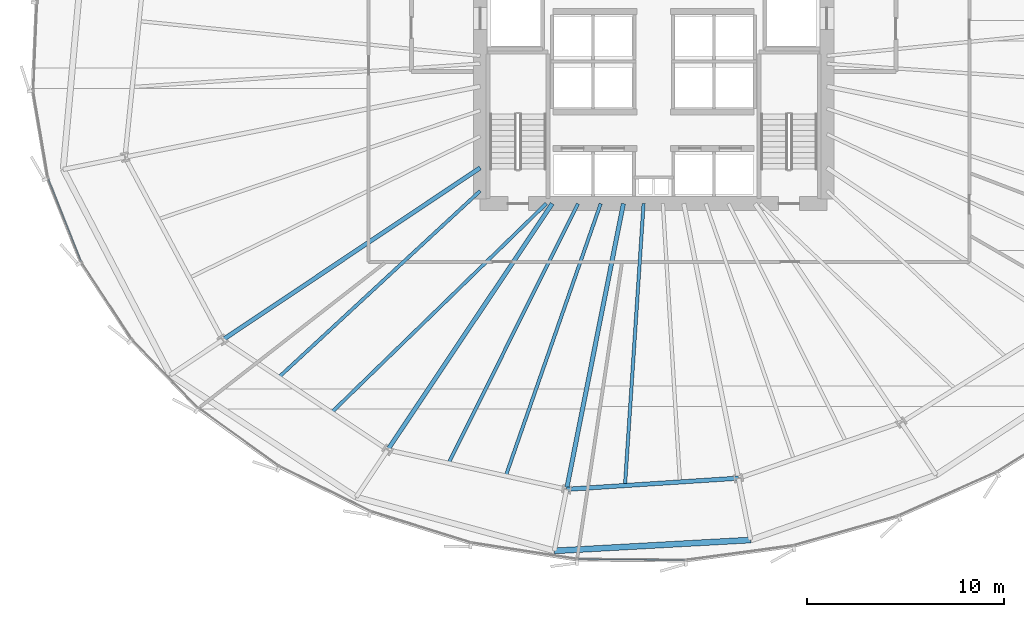
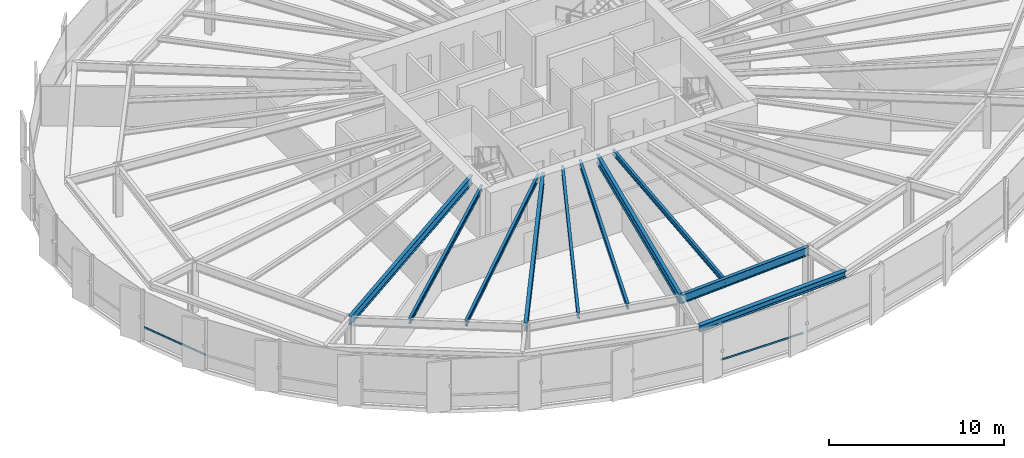
# One storey, part 6 of 39: 10 beams, 2 members, 2 elements without a shape of their own.
"""IFC4 building model written with IfcOpenShell, lengths in metres."""

from ifc_helpers import new_model, si_unit, direction, frame, origin, origin_2d, place, context, subcontext, project, spatial, hollow_rectangle, i_section, extrude, source, transform, mapped, material, layer, layer_set, material_profile, profile_set, type_object, element, aggregate, save


model = new_model("IFC4")

# Units and contexts
model_context = context("Model", 3, precision=1e-05, world=origin(), true_north=direction((0.0, 1.0)))
body_context = subcontext(model_context, "Body", "Model", "MODEL_VIEW")
ifc_project = project(units=[si_unit("LENGTHUNIT", "METRE"), si_unit("AREAUNIT", "SQUARE_METRE"), si_unit("VOLUMEUNIT", "CUBIC_METRE"), si_unit("PLANEANGLEUNIT", "RADIAN"), si_unit("MASSUNIT", "GRAM", prefix="KILO"), si_unit("THERMODYNAMICTEMPERATUREUNIT", "KELVIN")], contexts=[model_context])

# Site, building, storey
site_placement = place(None, origin())
site = spatial("IfcSite", under=ifc_project, at=site_placement, CompositionType="ELEMENT")
building_placement = place(site_placement, origin())
building = spatial("IfcBuilding", under=site, at=building_placement, Name="Kethvar Cultural Tower", CompositionType="ELEMENT")
storey_placement = place(building_placement, frame((0.0, 0.0, 44.800048828125)))
storey = spatial("IfcBuildingStorey", under=building, at=storey_placement, Name="L10", CompositionType="ELEMENT", Elevation=44.800048828125)

# Beams
ifc_material_1 = material(Name="Steel S355J2", Category="steel")
ifc_material_profile_1 = material_profile(ifc_material_1, i_section(OverallWidth=0.219970703125, OverallDepth=0.60009765625, WebThickness=0.011962890625, FlangeThickness=0.01904296875, FilletRadius=0.02392578125, at=origin_2d()), Name="Steel S355J2 — IPE600")
ifc_profile_set_1 = profile_set([ifc_material_profile_1], Name="Steel S355J2 — IPE600")
beam_type_1 = type_object("IfcBeamType", Name="BM-IPE600", PredefinedType="BEAM", material=ifc_profile_set_1)
shared_shape_1 = source(origin(), body_context, "Body", "SweptSolid", [
    extrude(i_section(OverallWidth=0.219970703125, OverallDepth=0.60009765625, WebThickness=0.011962890625, FlangeThickness=0.01904296875, FilletRadius=0.02392578125, at=origin_2d()), origin(), (0.0, 0.0, 1.0), 15.725341796875),
])
beam_1_placement = place(storey_placement, frame((38.0, 21.919921875, 3.248046875), z_axis=(-0.831469433959, -0.555570499929, 0.0), x_axis=(0.555570499929, -0.831469433959, 0.0)))
element("IfcBeam", 1, at=beam_1_placement, inside=storey, type_object=beam_type_1, Name="L10 Primary Radial Beam RB-10", PredefinedType="BEAM", context=body_context, shape_type="MappedRepresentation", body=[
    mapped(shared_shape_1, transform((0.0, 0.0, 0.0), scale=1.0)),
])
shared_shape_2 = source(origin(), body_context, "Body", "SweptSolid", [
    extrude(i_section(OverallWidth=0.219970703125, OverallDepth=0.60009765625, WebThickness=0.011962890625, FlangeThickness=0.01904296875, FilletRadius=0.02392578125, at=origin_2d()), origin(), (0.0, 0.0, 1.0), 15.03515625),
])
beam_2_placement = place(storey_placement, frame((41.655029296875, 20.10009765625, 3.248046875), z_axis=(-0.555569254616, -0.83147026605, 0.0), x_axis=(0.83147026605, -0.555569254616, 0.0)))
element("IfcBeam", 2, at=beam_2_placement, inside=storey, type_object=beam_type_1, Name="L10 Primary Radial Beam RB-11", PredefinedType="BEAM", context=body_context, shape_type="MappedRepresentation", body=[
    mapped(shared_shape_2, transform((0.0, 0.0, 0.0), scale=1.0)),
])
shared_shape_3 = source(origin(), body_context, "Body", "SweptSolid", [
    extrude(i_section(OverallWidth=0.219970703125, OverallDepth=0.60009765625, WebThickness=0.011962890625, FlangeThickness=0.01904296875, FilletRadius=0.02392578125, at=origin_2d()), origin(), (0.0, 0.0, 1.0), 14.7880859375),
])
beam_3_placement = place(storey_placement, frame((45.268310546875, 20.10009765625, 3.248046875), z_axis=(-0.1950905456, -0.98078523593, 0.0), x_axis=(0.98078523593, -0.1950905456, 0.0)))
element("IfcBeam", 3, at=beam_3_placement, inside=storey, type_object=beam_type_1, Name="L10 Primary Radial Beam RB-12", PredefinedType="BEAM", context=body_context, shape_type="MappedRepresentation", body=[
    mapped(shared_shape_3, transform((0.0, 0.0, 0.0), scale=1.0)),
])
ifc_material_profile_2 = material_profile(ifc_material_1, i_section(OverallWidth=0.169921875, OverallDepth=0.360107421875, WebThickness=0.008056640625, FlangeThickness=0.0126953125, FilletRadius=0.01806640625, at=origin_2d()), Name="Steel S355J2 — IPE360")
ifc_profile_set_2 = profile_set([ifc_material_profile_2], Name="Steel S355J2 — IPE360")
beam_type_2 = type_object("IfcBeamType", Name="BM-J360", PredefinedType="JOIST", material=ifc_profile_set_2)
shared_shape_4 = source(origin(), body_context, "Body", "SweptSolid", [
    extrude(i_section(OverallWidth=0.169921875, OverallDepth=0.360107421875, WebThickness=0.008056640625, FlangeThickness=0.0126953125, FilletRadius=0.01806640625, at=origin_2d()), origin(), (0.0, 0.0, 1.0), 13.93505859375),
])
beam_4_placement = place(storey_placement, frame((38.0, 20.75, 3.367919921875), z_axis=(-0.733909459287, -0.679247308106, 0.0), x_axis=(0.679247308106, -0.733909459287, 0.0)))
element("IfcBeam", 4, at=beam_4_placement, inside=storey, type_object=beam_type_2, Name="L10 Composite Floor Joist J-10A", PredefinedType="JOIST", context=body_context, shape_type="MappedRepresentation", body=[
    mapped(shared_shape_4, transform((0.0, 0.0, 0.0), scale=1.0)),
])
shared_shape_5 = source(origin(), body_context, "Body", "SweptSolid", [
    extrude(i_section(OverallWidth=0.169921875, OverallDepth=0.360107421875, WebThickness=0.008056640625, FlangeThickness=0.0126953125, FilletRadius=0.01806640625, at=origin_2d()), origin(), (0.0, 0.0, 1.0), 15.20361328125),
])
beam_5_placement = place(storey_placement, frame((41.35009765625, 20.10009765625, 3.367919921875), z_axis=(-0.716707709325, -0.697373687053, 0.0), x_axis=(0.697373687053, -0.716707709325, 0.0)))
element("IfcBeam", 5, at=beam_5_placement, inside=storey, type_object=beam_type_2, Name="L10 Composite Floor Joist J-10B", PredefinedType="JOIST", context=body_context, shape_type="MappedRepresentation", body=[
    mapped(shared_shape_5, transform((0.0, 0.0, 0.0), scale=1.0)),
])
shared_shape_6 = source(origin(), body_context, "Body", "SweptSolid", [
    extrude(i_section(OverallWidth=0.169921875, OverallDepth=0.360107421875, WebThickness=0.008056640625, FlangeThickness=0.0126953125, FilletRadius=0.01806640625, at=origin_2d()), origin(), (0.0, 0.0, 1.0), 14.729248046875),
])
beam_6_placement = place(storey_placement, frame((42.961181640625, 20.10009765625, 3.367919921875), z_axis=(-0.446152473361, -0.894956965733, 0.0), x_axis=(0.894956965733, -0.446152473361, 0.0)))
element("IfcBeam", 6, at=beam_6_placement, inside=storey, type_object=beam_type_2, Name="L10 Composite Floor Joist J-11A", PredefinedType="JOIST", context=body_context, shape_type="MappedRepresentation", body=[
    mapped(shared_shape_6, transform((0.0, 0.0, 0.0), scale=1.0)),
])
shared_shape_7 = source(origin(), body_context, "Body", "SweptSolid", [
    extrude(i_section(OverallWidth=0.169921875, OverallDepth=0.360107421875, WebThickness=0.008056640625, FlangeThickness=0.0126953125, FilletRadius=0.01806640625, at=origin_2d()), origin(), (0.0, 0.0, 1.0), 14.63916015625),
])
beam_7_placement = place(storey_placement, frame((44.115234375, 20.10009765625, 3.367919921875), z_axis=(-0.329226238223, -0.94425107046, 0.0), x_axis=(0.94425107046, -0.329226238223, 0.0)))
element("IfcBeam", 7, at=beam_7_placement, inside=storey, type_object=beam_type_2, Name="L10 Composite Floor Joist J-11B", PredefinedType="JOIST", context=body_context, shape_type="MappedRepresentation", body=[
    mapped(shared_shape_7, transform((0.0, 0.0, 0.0), scale=1.0)),
])
shared_shape_8 = source(origin(), body_context, "Body", "SweptSolid", [
    extrude(i_section(OverallWidth=0.219970703125, OverallDepth=0.60009765625, WebThickness=0.011962890625, FlangeThickness=0.01904296875, FilletRadius=0.02392578125, at=origin_2d()), origin(), (0.0, 0.0, 1.0), 8.739013671875),
])
beam_8_placement = place(storey_placement, frame((42.38330078125, 5.59619140625, 3.248046875), z_axis=(0.997897424084, 0.064813046581, 0.0), x_axis=(-0.064813046581, 0.997897424084, 0.0)))
element("IfcBeam", 8, at=beam_8_placement, inside=storey, type_object=beam_type_1, Name="L10 Column Ring Tie Beam CR-12", PredefinedType="BEAM", context=body_context, shape_type="MappedRepresentation", body=[
    mapped(shared_shape_8, transform((0.0, 0.0, 0.0), scale=1.0)),
])
shared_shape_9 = source(origin(), body_context, "Body", "SweptSolid", [
    extrude(i_section(OverallWidth=0.169921875, OverallDepth=0.360107421875, WebThickness=0.008056640625, FlangeThickness=0.0126953125, FilletRadius=0.01806640625, at=origin_2d()), origin(), (0.0, 0.0, 1.0), 14.34228515625),
])
beam_9_placement = place(storey_placement, frame((46.292236328125, 20.10009765625, 3.367919921875), z_axis=(-0.065808348808, -0.997832281111, 0.0), x_axis=(0.997832281111, -0.065808348808, 0.0)))
element("IfcBeam", 9, at=beam_9_placement, inside=storey, type_object=beam_type_2, Name="L10 Composite Floor Joist J-12A", PredefinedType="JOIST", context=body_context, shape_type="MappedRepresentation", body=[
    mapped(shared_shape_9, transform((0.0, 0.0, 0.0), scale=1.0)),
])
ifc_material_profile_3 = material_profile(ifc_material_1, i_section(OverallWidth=0.300048828125, OverallDepth=0.449951171875, WebThickness=0.013916015625, FlangeThickness=0.02587890625, FilletRadius=0.027099609375, at=origin_2d()), Name="Steel S355J2 — HEB450")
ifc_profile_set_3 = profile_set([ifc_material_profile_3], Name="Steel S355J2 — HEB450")
beam_type_3 = type_object("IfcBeamType", Name="BM-SP450", PredefinedType="SPANDREL", material=ifc_profile_set_3)
shared_shape_10 = source(origin(), body_context, "Body", "SweptSolid", [
    extrude(i_section(OverallWidth=0.300048828125, OverallDepth=0.449951171875, WebThickness=0.013916015625, FlangeThickness=0.02587890625, FilletRadius=0.027099609375, at=origin_2d()), origin(), (0.0, 0.0, 1.0), 9.981689453125),
])
beam_10_placement = place(storey_placement, frame((41.761962890625, 2.471923828125, 3.322998046875), z_axis=(0.998468320301, 0.05532642547, 0.0), x_axis=(-0.05532642547, 0.998468320301, 0.0)))
element("IfcBeam", 10, at=beam_10_placement, inside=storey, type_object=beam_type_3, Name="L10 Perimeter Spandrel Beam SP-12", PredefinedType="SPANDREL", context=body_context, shape_type="MappedRepresentation", body=[
    mapped(shared_shape_10, transform((0.0, 0.0, 0.0), scale=1.0)),
])

# Curtain wall, member
ifc_material_2 = material(Name="Aluminium 6063-T6", Category="aluminium")
ifc_layer = layer(ifc_material_2, 0.179931640625, Name="Aluminium 6063-T6", Category="aluminium")
ifc_layer_set = layer_set([ifc_layer], Name="Aluminium 6063-T6 (180 mm)")
curtain_wall_type = type_object("IfcCurtainWallType", Name="CW-SYS-02-Z1", PredefinedType="NOTDEFINED", material=ifc_layer_set)
curtain_wall_1_placement = place(storey_placement, origin())
curtain_wall_1 = element("IfcCurtainWall", 11, at=curtain_wall_1_placement, inside=storey, type_object=curtain_wall_type, Name="L10 Curtain Wall Run 04", PredefinedType="NOTDEFINED")
ifc_material_profile_4 = material_profile(ifc_material_2, hollow_rectangle(XDim=0.054931640625, YDim=0.1201171875, WallThickness=0.00390625, at=origin_2d()), Name="Aluminium 6063-T6 — RHS120x55x4")
ifc_profile_set_4 = profile_set([ifc_material_profile_4], Name="Aluminium 6063-T6 — RHS120x55x4")
member_type = type_object("IfcMemberType", Name="CW-SYS-02-Z1-TRN", PredefinedType="USERDEFINED", material=ifc_profile_set_4)
shared_shape_11 = source(origin(), body_context, "Body", "SweptSolid", [
    extrude(hollow_rectangle(XDim=0.054931640625, YDim=0.1201171875, WallThickness=0.00390625, at=origin_2d()), origin(), (0.0, 0.0, 1.0), 4.505859375),
])
member_1_placement = place(storey_placement, frame((16.081298828125, 21.342529296875, 0.949951171875), z_axis=(0.369745915252, -0.929132906615, 0.0), x_axis=(0.929132906615, 0.369745915252, 0.0)))
member_1 = element("IfcMember", 12, at=member_1_placement, type_object=member_type, Name="CW-L10-R04 Transom 3", ObjectType="TRANSOM", PredefinedType="USERDEFINED", context=body_context, shape_type="MappedRepresentation", body=[
    mapped(shared_shape_11, transform((0.0, 0.0, 0.0), scale=1.0)),
])
aggregate(curtain_wall_1, [member_1])

curtain_wall_2_placement = place(storey_placement, origin())
curtain_wall_2 = element("IfcCurtainWall", 13, at=curtain_wall_2_placement, inside=storey, type_object=curtain_wall_type, Name="L10 Curtain Wall Run 05", PredefinedType="NOTDEFINED")
shared_shape_12 = source(origin(), body_context, "Body", "SweptSolid", [
    extrude(hollow_rectangle(XDim=0.054931640625, YDim=0.1201171875, WallThickness=0.00390625, at=origin_2d()), origin(), (0.0, 0.0, 1.0), 5.420654296875),
])
member_2_placement = place(storey_placement, frame((42.96435546875, 2.05419921875, 0.949951171875), z_axis=(0.999961431753, -0.008782653779, 0.0), x_axis=(0.008782653779, 0.999961431753, 0.0)))
member_2 = element("IfcMember", 14, at=member_2_placement, type_object=member_type, Name="CW-L10-R05 Transom 4", ObjectType="TRANSOM", PredefinedType="USERDEFINED", context=body_context, shape_type="MappedRepresentation", body=[
    mapped(shared_shape_12, transform((0.0, 0.0, 0.0), scale=1.0)),
])
aggregate(curtain_wall_2, [member_2])

save(model, "model.ifc")
